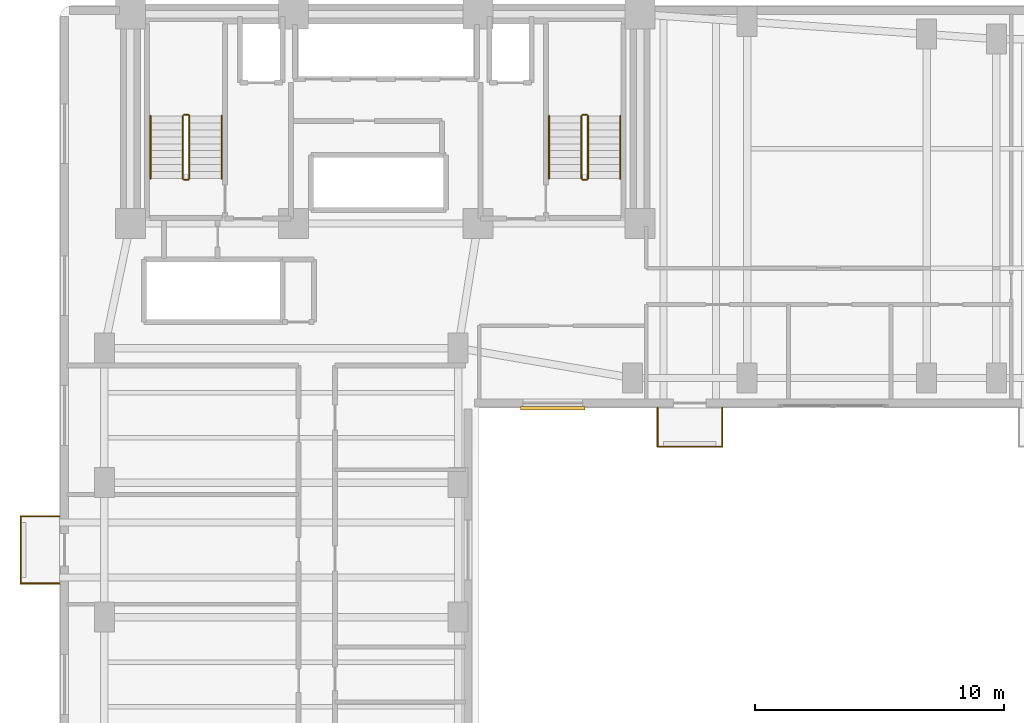
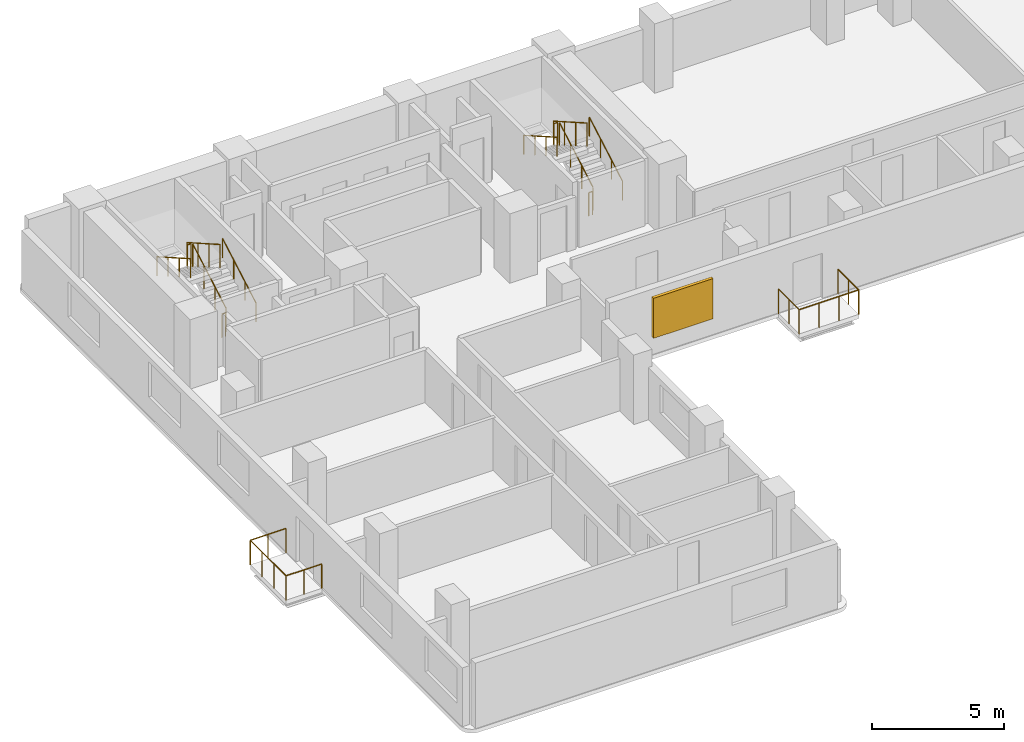
# One storey, part 12 of 14: 18 railings, 1 shading device.
"""IFC4 building model written with IfcOpenShell, lengths in metres."""

from ifc_helpers import new_model, si_unit, direction, frame, origin, origin_2d, place, context, subcontext, project, spatial, rectangle, circle, extrude, material, layer, layer_set, type_object, element, save


model = new_model("IFC4")

# Units and contexts
model_context = context("Model", 3, precision=1e-05, world=origin(), true_north=direction((0.0, 1.0)))
body_context = subcontext(model_context, "Body", "Model", "MODEL_VIEW")
ifc_project = project(units=[si_unit("LENGTHUNIT", "METRE"), si_unit("AREAUNIT", "SQUARE_METRE"), si_unit("VOLUMEUNIT", "CUBIC_METRE"), si_unit("PLANEANGLEUNIT", "RADIAN"), si_unit("MASSUNIT", "GRAM", prefix="KILO")], contexts=[model_context])

# Site, building, storey
site_placement = place(None, origin())
site = spatial("IfcSite", under=ifc_project, at=site_placement, CompositionType="ELEMENT")
building_placement = place(site_placement, origin())
building = spatial("IfcBuilding", under=site, at=building_placement, Name="Kuzgunbayir Cultural Tower", CompositionType="ELEMENT")
storey_placement = place(building_placement, frame((0.0, 0.0, 69.199951171875)))
storey = spatial("IfcBuildingStorey", under=building, at=storey_placement, Name="L19", CompositionType="ELEMENT", Elevation=69.199951171875)

# Railings
ifc_material_1 = material(Name="Laminated Glass and Stainless Steel", Category="steel")
ifc_layer_1 = layer(ifc_material_1, 0.080078125)
ifc_layer_set_1 = layer_set([ifc_layer_1], Name="Laminated Glass and Stainless Steel")
railing_type_1 = type_object("IfcRailingType", Name="RLG-BAL-115", PredefinedType="BALUSTRADE", material=ifc_layer_set_1)
railing_1_placement = place(storey_placement, frame((3.60009765625, 19.35009765625, 0.0)))
element("IfcRailing", 1, at=railing_1_placement, inside=storey, type_object=railing_type_1, Name="L19 Balcony Guard BAL-L19-WA2 Segment 1", PredefinedType="BALUSTRADE", context=body_context, shape_type="SweptSolid", body=[
    extrude(circle(Radius=0.02392578125, at=origin_2d()), frame((0.0, 0.0, 1.1259765625), z_axis=(-1.0, 0.0, 0.0), x_axis=(0.0, -1.0, 0.0)), (0.0, 0.0, 1.0), 1.56005859375),
    extrude(circle(Radius=0.02099609375, at=origin_2d()), origin(), (0.0, 0.0, 1.0), 1.101806640625),
    extrude(circle(Radius=0.02099609375, at=origin_2d()), frame((-0.780029296875, 0.0, 0.0)), (0.0, 0.0, 1.0), 1.101806640625),
    extrude(circle(Radius=0.02099609375, at=origin_2d()), frame((-1.56005859375, 0.0, 0.0)), (0.0, 0.0, 1.0), 1.101806640625),
])
railing_2_placement = place(storey_placement, frame((2.0400390625, 19.35009765625, 0.0)))
element("IfcRailing", 2, at=railing_2_placement, inside=storey, type_object=railing_type_1, Name="L19 Balcony Guard BAL-L19-WA2 Segment 2", PredefinedType="BALUSTRADE", context=body_context, shape_type="SweptSolid", body=[
    extrude(circle(Radius=0.02392578125, at=origin_2d()), frame((0.0, 0.0, 1.1259765625), z_axis=(0.0, 1.0, 0.0), x_axis=(-1.0, 0.0, 0.0)), (0.0, 0.0, 1.0), 2.699951171875),
    extrude(circle(Radius=0.02099609375, at=origin_2d()), origin(), (0.0, 0.0, 1.0), 1.101806640625),
    extrude(circle(Radius=0.02099609375, at=origin_2d()), frame((0.0, 0.89990234375, 0.0)), (0.0, 0.0, 1.0), 1.101806640625),
    extrude(circle(Radius=0.02099609375, at=origin_2d()), frame((0.0, 1.800048828125, 0.0)), (0.0, 0.0, 1.0), 1.101806640625),
    extrude(circle(Radius=0.02099609375, at=origin_2d()), frame((0.0, 2.699951171875, 0.0)), (0.0, 0.0, 1.0), 1.101806640625),
])
railing_3_placement = place(storey_placement, frame((2.0400390625, 22.050048828125, 0.0)))
element("IfcRailing", 3, at=railing_3_placement, inside=storey, type_object=railing_type_1, Name="L19 Balcony Guard BAL-L19-WA2 Segment 3", PredefinedType="BALUSTRADE", context=body_context, shape_type="SweptSolid", body=[
    extrude(circle(Radius=0.02392578125, at=origin_2d()), frame((0.0, 0.0, 1.1259765625), z_axis=(1.0, 0.0, 0.0), x_axis=(0.0, 1.0, 0.0)), (0.0, 0.0, 1.0), 1.56005859375),
    extrude(circle(Radius=0.02099609375, at=origin_2d()), origin(), (0.0, 0.0, 1.0), 1.101806640625),
    extrude(circle(Radius=0.02099609375, at=origin_2d()), frame((0.780029296875, 0.0, 0.0)), (0.0, 0.0, 1.0), 1.101806640625),
    extrude(circle(Radius=0.02099609375, at=origin_2d()), frame((1.56005859375, 0.0, 0.0)), (0.0, 0.0, 1.0), 1.101806640625),
])
railing_4_placement = place(storey_placement, frame((27.60009765625, 26.39990234375, 0.0)))
element("IfcRailing", 4, at=railing_4_placement, inside=storey, type_object=railing_type_1, Name="L19 Balcony Guard BAL-L19-WB1 Segment 1", PredefinedType="BALUSTRADE", context=body_context, shape_type="SweptSolid", body=[
    extrude(circle(Radius=0.02392578125, at=origin_2d()), frame((0.0, 0.0, 1.1259765625), z_axis=(0.0, -1.0, 0.0), x_axis=(1.0, 0.0, 0.0)), (0.0, 0.0, 1.0), 1.559814453125),
    extrude(circle(Radius=0.02099609375, at=origin_2d()), origin(), (0.0, 0.0, 1.0), 1.101806640625),
    extrude(circle(Radius=0.02099609375, at=origin_2d()), frame((0.0, -0.77978515625, 0.0)), (0.0, 0.0, 1.0), 1.101806640625),
    extrude(circle(Radius=0.02099609375, at=origin_2d()), frame((0.0, -1.559814453125, 0.0)), (0.0, 0.0, 1.0), 1.101806640625),
])
railing_5_placement = place(storey_placement, frame((27.60009765625, 24.840087890625, 0.0)))
element("IfcRailing", 5, at=railing_5_placement, inside=storey, type_object=railing_type_1, Name="L19 Balcony Guard BAL-L19-WB1 Segment 2", PredefinedType="BALUSTRADE", context=body_context, shape_type="SweptSolid", body=[
    extrude(circle(Radius=0.02392578125, at=origin_2d()), frame((0.0, 0.0, 1.1259765625), z_axis=(1.0, 0.0, 0.0), x_axis=(0.0, 1.0, 0.0)), (0.0, 0.0, 1.0), 2.599853515625),
    extrude(circle(Radius=0.02099609375, at=origin_2d()), origin(), (0.0, 0.0, 1.0), 1.101806640625),
    extrude(circle(Radius=0.02099609375, at=origin_2d()), frame((0.86669921875, 0.0, 0.0)), (0.0, 0.0, 1.0), 1.101806640625),
    extrude(circle(Radius=0.02099609375, at=origin_2d()), frame((1.733154296875, 0.0, 0.0)), (0.0, 0.0, 1.0), 1.101806640625),
    extrude(circle(Radius=0.02099609375, at=origin_2d()), frame((2.599853515625, 0.0, 0.0)), (0.0, 0.0, 1.0), 1.101806640625),
])
railing_6_placement = place(storey_placement, frame((30.199951171875, 24.840087890625, 0.0)))
element("IfcRailing", 6, at=railing_6_placement, inside=storey, type_object=railing_type_1, Name="L19 Balcony Guard BAL-L19-WB1 Segment 3", PredefinedType="BALUSTRADE", context=body_context, shape_type="SweptSolid", body=[
    extrude(circle(Radius=0.02392578125, at=origin_2d()), frame((0.0, 0.0, 1.1259765625), z_axis=(0.0, 1.0, 0.0), x_axis=(-1.0, 0.0, 0.0)), (0.0, 0.0, 1.0), 1.559814453125),
    extrude(circle(Radius=0.02099609375, at=origin_2d()), origin(), (0.0, 0.0, 1.0), 1.101806640625),
    extrude(circle(Radius=0.02099609375, at=origin_2d()), frame((0.0, 0.77978515625, 0.0)), (0.0, 0.0, 1.0), 1.101806640625),
    extrude(circle(Radius=0.02099609375, at=origin_2d()), frame((0.0, 1.559814453125, 0.0)), (0.0, 0.0, 1.0), 1.101806640625),
])
ifc_material_2 = material(Name="Brushed Stainless Steel", Category="steel")
ifc_layer_2 = layer(ifc_material_2, 0.050048828125)
ifc_layer_set_2 = layer_set([ifc_layer_2], Name="Brushed Stainless Steel")
railing_type_2 = type_object("IfcRailingType", Name="RLG-STAIR-HANDRAIL", PredefinedType="HANDRAIL", material=ifc_layer_set_2)
railing_7_placement = place(storey_placement, frame((10.110107421875, 35.60009765625, 0.16015625)))
element("IfcRailing", 7, at=railing_7_placement, inside=storey, type_object=railing_type_2, Name="L19 ST-1 stair handrail 1", PredefinedType="HANDRAIL", context=body_context, shape_type="SweptSolid", body=[
    extrude(circle(Radius=0.02392578125, at=origin_2d()), frame((0.0, 0.0, 0.8759765625), z_axis=(0.0, 0.868253494771, 0.496120820787), x_axis=(-1.0, 0.0, 0.0)), (0.0, 0.0, 1.0), 2.90234375),
    extrude(circle(Radius=0.02099609375, at=origin_2d()), origin(), (0.0, 0.0, 1.0), 0.851806640625),
    extrude(circle(Radius=0.02099609375, at=origin_2d()), frame((0.0, 0.840087890625, 0.47998046875)), (0.0, 0.0, 1.0), 0.851806640625),
    extrude(circle(Radius=0.02099609375, at=origin_2d()), frame((0.0, 1.679931640625, 0.9599609375)), (0.0, 0.0, 1.0), 0.851806640625),
    extrude(circle(Radius=0.02099609375, at=origin_2d()), frame((0.0, 2.52001953125, 1.43994140625)), (0.0, 0.0, 1.0), 0.851806640625),
])
railing_8_placement = place(storey_placement, frame((7.25, 38.1201171875, 1.760009765625)))
element("IfcRailing", 8, at=railing_8_placement, inside=storey, type_object=railing_type_2, Name="L19 ST-1 stair handrail 2", PredefinedType="HANDRAIL", context=body_context, shape_type="SweptSolid", body=[
    extrude(circle(Radius=0.02392578125, at=origin_2d()), frame((0.0, 0.0, 0.8759765625), z_axis=(0.0, -0.868253494771, 0.496120820787), x_axis=(1.0, 0.0, 0.0)), (0.0, 0.0, 1.0), 2.90234375),
    extrude(circle(Radius=0.02099609375, at=origin_2d()), origin(), (0.0, 0.0, 1.0), 0.851806640625),
    extrude(circle(Radius=0.02099609375, at=origin_2d()), frame((0.0, -0.840087890625, 0.47998046875)), (0.0, 0.0, 1.0), 0.851806640625),
    extrude(circle(Radius=0.02099609375, at=origin_2d()), frame((0.0, -1.679931640625, 0.9599609375)), (0.0, 0.0, 1.0), 0.851806640625),
    extrude(circle(Radius=0.02099609375, at=origin_2d()), frame((0.0, -2.52001953125, 1.43994140625)), (0.0, 0.0, 1.0), 0.851806640625),
])
railing_9_placement = place(storey_placement, frame((26.110107421875, 35.60009765625, 0.16015625)))
element("IfcRailing", 9, at=railing_9_placement, inside=storey, type_object=railing_type_2, Name="L19 ST-2 stair handrail 1", PredefinedType="HANDRAIL", context=body_context, shape_type="SweptSolid", body=[
    extrude(circle(Radius=0.02392578125, at=origin_2d()), frame((0.0, 0.0, 0.8759765625), z_axis=(0.0, 0.868253494771, 0.496120820787), x_axis=(-1.0, 0.0, 0.0)), (0.0, 0.0, 1.0), 2.90234375),
    extrude(circle(Radius=0.02099609375, at=origin_2d()), origin(), (0.0, 0.0, 1.0), 0.851806640625),
    extrude(circle(Radius=0.02099609375, at=origin_2d()), frame((0.0, 0.840087890625, 0.47998046875)), (0.0, 0.0, 1.0), 0.851806640625),
    extrude(circle(Radius=0.02099609375, at=origin_2d()), frame((0.0, 1.679931640625, 0.9599609375)), (0.0, 0.0, 1.0), 0.851806640625),
    extrude(circle(Radius=0.02099609375, at=origin_2d()), frame((0.0, 2.52001953125, 1.43994140625)), (0.0, 0.0, 1.0), 0.851806640625),
])
railing_10_placement = place(storey_placement, frame((23.25, 38.1201171875, 1.760009765625)))
element("IfcRailing", 10, at=railing_10_placement, inside=storey, type_object=railing_type_2, Name="L19 ST-2 stair handrail 2", PredefinedType="HANDRAIL", context=body_context, shape_type="SweptSolid", body=[
    extrude(circle(Radius=0.02392578125, at=origin_2d()), frame((0.0, 0.0, 0.8759765625), z_axis=(0.0, -0.868253494771, 0.496120820787), x_axis=(1.0, 0.0, 0.0)), (0.0, 0.0, 1.0), 2.90234375),
    extrude(circle(Radius=0.02099609375, at=origin_2d()), origin(), (0.0, 0.0, 1.0), 0.851806640625),
    extrude(circle(Radius=0.02099609375, at=origin_2d()), frame((0.0, -0.840087890625, 0.47998046875)), (0.0, 0.0, 1.0), 0.851806640625),
    extrude(circle(Radius=0.02099609375, at=origin_2d()), frame((0.0, -1.679931640625, 0.9599609375)), (0.0, 0.0, 1.0), 0.851806640625),
    extrude(circle(Radius=0.02099609375, at=origin_2d()), frame((0.0, -2.52001953125, 1.43994140625)), (0.0, 0.0, 1.0), 0.851806640625),
])
ifc_material_3 = material(Name="Painted Steel Balustrade", Category="steel")
ifc_layer_3 = layer(ifc_material_3, 0.06005859375)
ifc_layer_set_3 = layer_set([ifc_layer_3], Name="Painted Steel Balustrade")
railing_type_3 = type_object("IfcRailingType", Name="RLG-WELL-GUARD", PredefinedType="GUARDRAIL", material=ifc_layer_set_3)
railing_11_placement = place(storey_placement, frame((8.81005859375, 35.60009765625, 0.16015625)))
element("IfcRailing", 11, at=railing_11_placement, inside=storey, type_object=railing_type_3, Name="L19 ST-1 stair guard 1", PredefinedType="GUARDRAIL", context=body_context, shape_type="SweptSolid", body=[
    extrude(circle(Radius=0.02392578125, at=origin_2d()), frame((0.0, 0.0, 1.076171875), z_axis=(0.0, 0.868253494771, 0.496120820787), x_axis=(-1.0, 0.0, 0.0)), (0.0, 0.0, 1.0), 2.90234375),
    extrude(circle(Radius=0.02099609375, at=origin_2d()), origin(), (0.0, 0.0, 1.0), 1.052001953125),
    extrude(circle(Radius=0.02099609375, at=origin_2d()), frame((0.0, 0.840087890625, 0.47998046875)), (0.0, 0.0, 1.0), 1.052001953125),
    extrude(circle(Radius=0.02099609375, at=origin_2d()), frame((0.0, 1.679931640625, 0.9599609375)), (0.0, 0.0, 1.0), 1.052001953125),
    extrude(circle(Radius=0.02099609375, at=origin_2d()), frame((0.0, 2.52001953125, 1.43994140625)), (0.0, 0.0, 1.0), 1.052001953125),
])
railing_12_placement = place(storey_placement, frame((8.760009765625, 38.169921875, 1.60009765625)))
element("IfcRailing", 12, at=railing_12_placement, inside=storey, type_object=railing_type_3, Name="L19 ST-1 stair guard 2", PredefinedType="GUARDRAIL", context=body_context, shape_type="SweptSolid", body=[
    extrude(circle(Radius=0.02392578125, at=origin_2d()), frame((0.0, 0.0, 1.076171875), z_axis=(-1.0, 0.0, 0.0), x_axis=(0.0, -1.0, 0.0)), (0.0, 0.0, 1.0), 0.159912109375),
    extrude(circle(Radius=0.02099609375, at=origin_2d()), origin(), (0.0, 0.0, 1.0), 1.052001953125),
    extrude(circle(Radius=0.02099609375, at=origin_2d()), frame((-0.159912109375, 0.0, 0.0)), (0.0, 0.0, 1.0), 1.052001953125),
])
railing_13_placement = place(storey_placement, frame((8.550048828125, 38.1201171875, 1.760009765625)))
element("IfcRailing", 13, at=railing_13_placement, inside=storey, type_object=railing_type_3, Name="L19 ST-1 stair guard 3", PredefinedType="GUARDRAIL", context=body_context, shape_type="SweptSolid", body=[
    extrude(circle(Radius=0.02392578125, at=origin_2d()), frame((0.0, 0.0, 1.076171875), z_axis=(0.0, -0.868253494771, 0.496120820787), x_axis=(1.0, 0.0, 0.0)), (0.0, 0.0, 1.0), 2.90234375),
    extrude(circle(Radius=0.02099609375, at=origin_2d()), origin(), (0.0, 0.0, 1.0), 1.052001953125),
    extrude(circle(Radius=0.02099609375, at=origin_2d()), frame((0.0, -0.840087890625, 0.47998046875)), (0.0, 0.0, 1.0), 1.052001953125),
    extrude(circle(Radius=0.02099609375, at=origin_2d()), frame((0.0, -1.679931640625, 0.9599609375)), (0.0, 0.0, 1.0), 1.052001953125),
    extrude(circle(Radius=0.02099609375, at=origin_2d()), frame((0.0, -2.52001953125, 1.43994140625)), (0.0, 0.0, 1.0), 1.052001953125),
])
railing_14_placement = place(storey_placement, frame((8.760009765625, 35.550048828125, 0.0)))
element("IfcRailing", 14, at=railing_14_placement, inside=storey, type_object=railing_type_3, Name="L19 ST-1 stair guard 4", PredefinedType="GUARDRAIL", context=body_context, shape_type="SweptSolid", body=[
    extrude(circle(Radius=0.02392578125, at=origin_2d()), frame((0.0, 0.0, 1.076171875), z_axis=(-1.0, 0.0, 0.0), x_axis=(0.0, -1.0, 0.0)), (0.0, 0.0, 1.0), 0.159912109375),
    extrude(circle(Radius=0.02099609375, at=origin_2d()), origin(), (0.0, 0.0, 1.0), 1.052001953125),
    extrude(circle(Radius=0.02099609375, at=origin_2d()), frame((-0.159912109375, 0.0, 0.0)), (0.0, 0.0, 1.0), 1.052001953125),
])
railing_15_placement = place(storey_placement, frame((24.81005859375, 35.60009765625, 0.16015625)))
element("IfcRailing", 15, at=railing_15_placement, inside=storey, type_object=railing_type_3, Name="L19 ST-2 stair guard 1", PredefinedType="GUARDRAIL", context=body_context, shape_type="SweptSolid", body=[
    extrude(circle(Radius=0.02392578125, at=origin_2d()), frame((0.0, 0.0, 1.076171875), z_axis=(0.0, 0.868253494771, 0.496120820787), x_axis=(-1.0, 0.0, 0.0)), (0.0, 0.0, 1.0), 2.90234375),
    extrude(circle(Radius=0.02099609375, at=origin_2d()), origin(), (0.0, 0.0, 1.0), 1.052001953125),
    extrude(circle(Radius=0.02099609375, at=origin_2d()), frame((0.0, 0.840087890625, 0.47998046875)), (0.0, 0.0, 1.0), 1.052001953125),
    extrude(circle(Radius=0.02099609375, at=origin_2d()), frame((0.0, 1.679931640625, 0.9599609375)), (0.0, 0.0, 1.0), 1.052001953125),
    extrude(circle(Radius=0.02099609375, at=origin_2d()), frame((0.0, 2.52001953125, 1.43994140625)), (0.0, 0.0, 1.0), 1.052001953125),
])
railing_16_placement = place(storey_placement, frame((24.760009765625, 38.169921875, 1.60009765625)))
element("IfcRailing", 16, at=railing_16_placement, inside=storey, type_object=railing_type_3, Name="L19 ST-2 stair guard 2", PredefinedType="GUARDRAIL", context=body_context, shape_type="SweptSolid", body=[
    extrude(circle(Radius=0.02392578125, at=origin_2d()), frame((0.0, 0.0, 1.076171875), z_axis=(-1.0, 0.0, 0.0), x_axis=(0.0, -1.0, 0.0)), (0.0, 0.0, 1.0), 0.159912109375),
    extrude(circle(Radius=0.02099609375, at=origin_2d()), origin(), (0.0, 0.0, 1.0), 1.052001953125),
    extrude(circle(Radius=0.02099609375, at=origin_2d()), frame((-0.159912109375, 0.0, 0.0)), (0.0, 0.0, 1.0), 1.052001953125),
])
railing_17_placement = place(storey_placement, frame((24.550048828125, 38.1201171875, 1.760009765625)))
element("IfcRailing", 17, at=railing_17_placement, inside=storey, type_object=railing_type_3, Name="L19 ST-2 stair guard 3", PredefinedType="GUARDRAIL", context=body_context, shape_type="SweptSolid", body=[
    extrude(circle(Radius=0.02392578125, at=origin_2d()), frame((0.0, 0.0, 1.076171875), z_axis=(0.0, -0.868253494771, 0.496120820787), x_axis=(1.0, 0.0, 0.0)), (0.0, 0.0, 1.0), 2.90234375),
    extrude(circle(Radius=0.02099609375, at=origin_2d()), origin(), (0.0, 0.0, 1.0), 1.052001953125),
    extrude(circle(Radius=0.02099609375, at=origin_2d()), frame((0.0, -0.840087890625, 0.47998046875)), (0.0, 0.0, 1.0), 1.052001953125),
    extrude(circle(Radius=0.02099609375, at=origin_2d()), frame((0.0, -1.679931640625, 0.9599609375)), (0.0, 0.0, 1.0), 1.052001953125),
    extrude(circle(Radius=0.02099609375, at=origin_2d()), frame((0.0, -2.52001953125, 1.43994140625)), (0.0, 0.0, 1.0), 1.052001953125),
])
railing_18_placement = place(storey_placement, frame((24.760009765625, 35.550048828125, 0.0)))
element("IfcRailing", 18, at=railing_18_placement, inside=storey, type_object=railing_type_3, Name="L19 ST-2 stair guard 4", PredefinedType="GUARDRAIL", context=body_context, shape_type="SweptSolid", body=[
    extrude(circle(Radius=0.02392578125, at=origin_2d()), frame((0.0, 0.0, 1.076171875), z_axis=(-1.0, 0.0, 0.0), x_axis=(0.0, -1.0, 0.0)), (0.0, 0.0, 1.0), 0.159912109375),
    extrude(circle(Radius=0.02099609375, at=origin_2d()), origin(), (0.0, 0.0, 1.0), 1.052001953125),
    extrude(circle(Radius=0.02099609375, at=origin_2d()), frame((-0.159912109375, 0.0, 0.0)), (0.0, 0.0, 1.0), 1.052001953125),
])

# Shading device
ifc_material_4 = material(Name="Perforated Bronze-Anodised Aluminium", Category="aluminium")
shading_device_type = type_object("IfcShadingDeviceType", Name="SHD-SOLAR-BRONZE", PredefinedType="JALOUSIE", material=ifc_material_4)
shading_device_placement = place(storey_placement, frame((23.39990234375, 26.389892578125, 0.824951171875), z_axis=(0.0, 0.0, 1.0), x_axis=(1.0, 0.0, 0.0)))
element("IfcShadingDevice", 19, at=shading_device_placement, inside=storey, type_object=shading_device_type, Name="L19 Solar Screen WBS8", PredefinedType="JALOUSIE", context=body_context, shape_type="SweptSolid", body=[
    extrude(rectangle(XDim=2.60009765625, YDim=0.139892578125, at=origin_2d()), origin(), (0.0, 0.0, 1.0), 1.85009765625),
])

save(model, "model.ifc")
